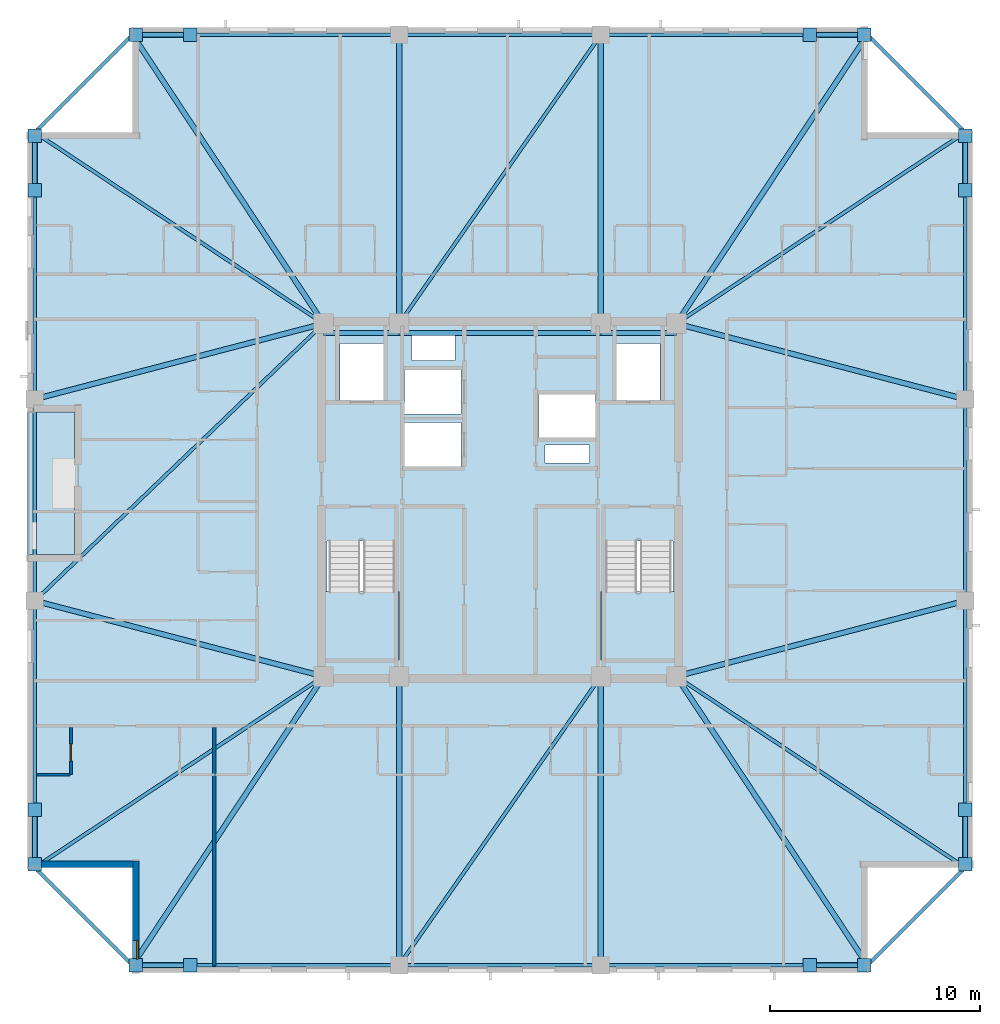
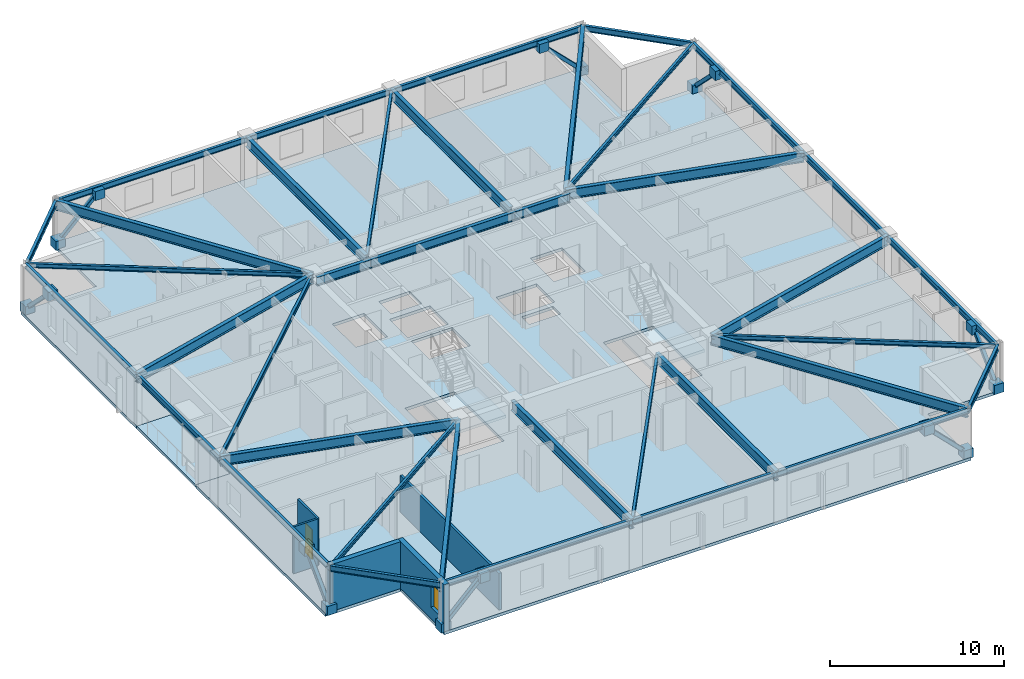
# One storey, part 6 of 17: 38 beams, 16 plates, 8 members, 5 walls, 4 slabs, 1 door, 1 window, 2 openings, 2 elements without a shape of their own.
"""IFC4 building model written with IfcOpenShell, lengths in metres."""

from ifc_helpers import new_model, si_unit, direction, frame, frame_2d, origin, origin_2d, place, context, subcontext, project, spatial, polyline, rectangle, hollow_rectangle, i_section, outline, extrude, material, layer, layer_set, material_profile, profile_set, type_object, element, fill, aggregate, save


model = new_model("IFC4")

# Units and contexts
model_context = context("Model", 3, precision=1e-05, world=origin(), true_north=direction((0.0, 1.0)))
body_context = subcontext(model_context, "Body", "Model", "MODEL_VIEW")
ifc_project = project(units=[si_unit("LENGTHUNIT", "METRE"), si_unit("AREAUNIT", "SQUARE_METRE"), si_unit("VOLUMEUNIT", "CUBIC_METRE"), si_unit("PLANEANGLEUNIT", "RADIAN"), si_unit("MASSUNIT", "GRAM", prefix="KILO")], contexts=[model_context])

# Site, building, storey
site_placement = place(None, origin())
site = spatial("IfcSite", under=ifc_project, at=site_placement, CompositionType="ELEMENT")
building_placement = place(site_placement, origin())
building = spatial("IfcBuilding", under=site, at=building_placement, Name="Cairnveth Concourse Tower", CompositionType="ELEMENT")
storey_placement = place(building_placement, frame((0.0, 0.0, 244.5)))
storey = spatial("IfcBuildingStorey", under=building, at=storey_placement, Name="L67", CompositionType="ELEMENT", Elevation=244.5)

# Beams
ifc_material_1 = material(Name="Steel Grade 350", Category="steel")
ifc_material_profile_1 = material_profile(ifc_material_1, i_section(OverallWidth=0.22802734375, OverallDepth=0.60693359375, WebThickness=0.01123046875, FlangeThickness=0.017333984375, FilletRadius=0.013916015625, at=origin_2d()), Name="610UB113")
ifc_profile_set_1 = profile_set([ifc_material_profile_1], Name="Steel Grade 350")
beam_type_1 = type_object("IfcBeamType", Name="CORE TIE BEAM 610UB113", PredefinedType="T_BEAM", material=ifc_profile_set_1)
for number, where, z_axis, x_axis, name in (
    (1, (43.60009765625, 46.949951171875, 2.986572265625), (1.0, 0.0, 0.0), (0.0, 1.0, 0.0), "Beam CT-N1 L67"),
    (2, (56.800048828125, 46.949951171875, 2.986572265625), (1.0, 0.0, 0.0), (0.0, 1.0, 0.0), "Beam CT-N3 L67"),
):
    element("IfcBeam", number, at=place(storey_placement, frame(where, z_axis=z_axis, x_axis=x_axis)), inside=storey, type_object=beam_type_1, Name=name, PredefinedType="T_BEAM", context=body_context, shape_type="SweptSolid", body=[
        extrude(i_section(OverallWidth=0.22802734375, OverallDepth=0.60693359375, WebThickness=0.01123046875, FlangeThickness=0.017333984375, FilletRadius=0.013916015625, at=origin_2d()), origin(), (0.0, 0.0, 1.0), 3.599853515625),
    ])
beam_1_placement = place(storey_placement, frame((47.199951171875, 46.949951171875, 2.986572265625), z_axis=(1.0, 0.0, 0.0), x_axis=(0.0, 1.0, 0.0)))
element("IfcBeam", 3, at=beam_1_placement, inside=storey, type_object=beam_type_1, Name="Beam CT-N2 L67", PredefinedType="T_BEAM", context=body_context, shape_type="SweptSolid", body=[
    extrude(i_section(OverallWidth=0.22802734375, OverallDepth=0.60693359375, WebThickness=0.01123046875, FlangeThickness=0.017333984375, FilletRadius=0.013916015625, at=origin_2d()), origin(), (0.0, 0.0, 1.0), 9.60009765625),
])
ifc_material_profile_2 = material_profile(ifc_material_1, i_section(OverallWidth=0.166015625, OverallDepth=0.306884765625, WebThickness=0.006591796875, FlangeThickness=0.01171875, FilletRadius=0.010986328125, at=origin_2d()), Name="310UB46.2")
ifc_profile_set_2 = profile_set([ifc_material_profile_2], Name="Steel Grade 350")
beam_type_2 = type_object("IfcBeamType", Name="ZONE 3 FLOOR JOIST 310UB46.2", PredefinedType="JOIST", material=ifc_profile_set_2)
for number, where, z_axis, x_axis, name in (
    (4, (29.85009765625, 21.5, 3.136474609375), (0.833908956207, 0.551902031848, 0.0), (-0.551902031848, 0.833908956207, 0.0), "Beam FJ-CSW2 L67"),
    (5, (74.14990234375, 21.5, 3.136474609375), (-0.833908956207, 0.551902031848, 0.0), (-0.551902031848, -0.833908956207, 0.0), "Beam FJ-CSE2 L67"),
    (6, (74.14990234375, 56.5, 3.136474609375), (-0.833908956207, -0.551902031848, 0.0), (0.551902031848, -0.833908956207, 0.0), "Beam FJ-CNE2 L67"),
    (7, (29.85009765625, 56.5, 3.136474609375), (0.833908956207, -0.551902031848, 0.0), (0.551902031848, 0.833908956207, 0.0), "Beam FJ-CNW2 L67"),
):
    element("IfcBeam", number, at=place(storey_placement, frame(where, z_axis=z_axis, x_axis=x_axis)), inside=storey, type_object=beam_type_2, Name=name, PredefinedType="JOIST", context=body_context, shape_type="SweptSolid", body=[
        extrude(i_section(OverallWidth=0.166015625, OverallDepth=0.306884765625, WebThickness=0.006591796875, FlangeThickness=0.01171875, FilletRadius=0.010986328125, at=origin_2d()), origin(), (0.0, 0.0, 1.0), 16.488525390625),
    ])
for number, where, z_axis, x_axis, name in (
    (8, (47.199951171875, 16.85009765625, 3.136474609375), (0.572465304893, 0.819928944905, 0.0), (-0.819928944905, 0.572465304893, 0.0), "Beam FJ-S-M1 L67"),
    (9, (47.199951171875, 47.39990234375, 3.136474609375), (0.572465304893, 0.819928944905, 0.0), (-0.819928944905, 0.572465304893, 0.0), "Beam FJ-N-M1 L67"),
):
    element("IfcBeam", number, at=place(storey_placement, frame(where, z_axis=z_axis, x_axis=x_axis)), inside=storey, type_object=beam_type_2, Name=name, PredefinedType="JOIST", context=body_context, shape_type="SweptSolid", body=[
        extrude(i_section(OverallWidth=0.166015625, OverallDepth=0.306884765625, WebThickness=0.006591796875, FlangeThickness=0.01171875, FilletRadius=0.010986328125, at=origin_2d()), origin(), (0.0, 0.0, 1.0), 16.769775390625),
    ])
beam_2_placement = place(storey_placement, frame((29.85009765625, 34.199951171875, 3.136474609375), z_axis=(0.721388600838, 0.692530495055, 0.0), x_axis=(-0.692530495055, 0.721388600838, 0.0)))
element("IfcBeam", 10, at=beam_2_placement, inside=storey, type_object=beam_type_2, Name="Beam FJ-W-M1 L67", PredefinedType="JOIST", context=body_context, shape_type="SweptSolid", body=[
    extrude(i_section(OverallWidth=0.166015625, OverallDepth=0.306884765625, WebThickness=0.006591796875, FlangeThickness=0.01171875, FilletRadius=0.010986328125, at=origin_2d()), origin(), (0.0, 0.0, 1.0), 19.060546875),
])

# Members
ifc_material_2 = material(Name="Steel C350L0 (350 MPa)", Category="steel")
ifc_material_profile_3 = material_profile(ifc_material_2, hollow_rectangle(XDim=0.25, YDim=0.25, WallThickness=0.012451171875, InnerFilletRadius=0.012939453125, OuterFilletRadius=0.02490234375, at=origin_2d()), Name="250x250x12.5SHS")
ifc_profile_set_3 = profile_set([ifc_material_profile_3], Name="Steel C350L0 (350 MPa)")
member_type = type_object("IfcMemberType", Name="ZONE 3 PIER BRACE 250X250X12.5SHS", PredefinedType="BRACE", material=ifc_profile_set_3)
for number, where, z_axis, x_axis, name in (
    (11, (34.64990234375, 16.85009765625, 0.25), (0.708469186186, 0.0, 0.705741746126), (0.0, 1.0, 0.0), "Structural Brace PB-S1 L67"),
    (12, (69.35009765625, 16.85009765625, 0.25), (-0.708469186186, 0.0, 0.705741746126), (0.0, -1.0, 0.0), "Structural Brace PB-S2 L67"),
    (13, (34.64990234375, 61.14990234375, 0.25), (0.708469186186, 0.0, 0.705741746126), (0.0, 1.0, 0.0), "Structural Brace PB-N1 L67"),
    (14, (69.35009765625, 61.14990234375, 0.25), (-0.708469186186, 0.0, 0.705741746126), (0.0, -1.0, 0.0), "Structural Brace PB-N2 L67"),
    (15, (29.85009765625, 21.64990234375, 0.25), (0.0, 0.708469186186, 0.705741746126), (-1.0, 0.0, 0.0), "Structural Brace PB-W1 L67"),
    (16, (29.85009765625, 56.35009765625, 0.25), (0.0, -0.708469186186, 0.705741746126), (1.0, 0.0, 0.0), "Structural Brace PB-W2 L67"),
    (17, (74.14990234375, 21.64990234375, 0.25), (0.0, 0.708469186186, 0.705741746126), (-1.0, 0.0, 0.0), "Structural Brace PB-E1 L67"),
    (18, (74.14990234375, 56.35009765625, 0.25), (0.0, -0.708469186186, 0.705741746126), (1.0, 0.0, 0.0), "Structural Brace PB-E2 L67"),
):
    element("IfcMember", number, at=place(storey_placement, frame(where, z_axis=z_axis, x_axis=x_axis)), inside=storey, type_object=member_type, Name=name, PredefinedType="BRACE", context=body_context, shape_type="SweptSolid", body=[
        extrude(hollow_rectangle(XDim=0.25, YDim=0.25, WallThickness=0.012451171875, InnerFilletRadius=0.012939453125, OuterFilletRadius=0.02490234375, at=origin_2d()), origin(), (0.0, 0.0, 1.0), 3.669921875),
    ])

# Beams
ifc_material_profile_4 = material_profile(ifc_material_1, i_section(OverallWidth=0.25, OverallDepth=0.69189453125, WebThickness=0.010009765625, FlangeThickness=0.02490234375, at=origin_2d()), Name="700WB150")
ifc_profile_set_4 = profile_set([ifc_material_profile_4], Name="Steel Grade 350")
beam_type_3 = type_object("IfcBeamType", Name="ZONE 3 RADIAL GIRDER 700WB150", PredefinedType="BEAM", material=ifc_profile_set_4)
for number, where, z_axis, x_axis, name in (
    (19, (47.199951171875, 16.85009765625, 2.944091796875), (0.0, 1.0, 0.0), (-1.0, 0.0, 0.0), "Beam RG-S1 L67"),
    (20, (56.800048828125, 16.85009765625, 2.944091796875), (0.0, 1.0, 0.0), (-1.0, 0.0, 0.0), "Beam RG-S2 L67"),
    (21, (47.199951171875, 47.39990234375, 2.944091796875), (0.0, 1.0, 0.0), (-1.0, 0.0, 0.0), "Beam RG-N1 L67"),
    (22, (56.800048828125, 47.39990234375, 2.944091796875), (0.0, 1.0, 0.0), (-1.0, 0.0, 0.0), "Beam RG-N2 L67"),
):
    element("IfcBeam", number, at=place(storey_placement, frame(where, z_axis=z_axis, x_axis=x_axis)), inside=storey, type_object=beam_type_3, Name=name, PredefinedType="BEAM", context=body_context, shape_type="SweptSolid", body=[
        extrude(i_section(OverallWidth=0.25, OverallDepth=0.69189453125, WebThickness=0.010009765625, FlangeThickness=0.02490234375, at=origin_2d()), origin(), (0.0, 0.0, 1.0), 13.75),
    ])
for number, where, z_axis, x_axis, name in (
    (23, (29.85009765625, 34.199951171875, 2.944091796875), (0.967395273598, -0.253271365575, 0.0), (0.253271365575, 0.967395273598, 0.0), "Beam RG-W1 L67"),
    (24, (29.85009765625, 43.800048828125, 2.944091796875), (0.967395273598, 0.253271365575, 0.0), (-0.253271365575, 0.967395273598, 0.0), "Beam RG-W2 L67"),
    (25, (60.39990234375, 30.60009765625, 2.944091796875), (0.967395273598, 0.253271365575, 0.0), (-0.253271365575, 0.967395273598, 0.0), "Beam RG-E1 L67"),
    (26, (60.39990234375, 47.39990234375, 2.944091796875), (0.967395273598, -0.253271365575, 0.0), (0.253271365575, 0.967395273598, 0.0), "Beam RG-E2 L67"),
):
    element("IfcBeam", number, at=place(storey_placement, frame(where, z_axis=z_axis, x_axis=x_axis)), inside=storey, type_object=beam_type_3, Name=name, PredefinedType="BEAM", context=body_context, shape_type="SweptSolid", body=[
        extrude(i_section(OverallWidth=0.25, OverallDepth=0.69189453125, WebThickness=0.010009765625, FlangeThickness=0.02490234375, at=origin_2d()), origin(), (0.0, 0.0, 1.0), 14.21337890625),
    ])
for number, where, z_axis, x_axis, name in (
    (27, (34.5, 16.85009765625, 2.944091796875), (0.551902031848, 0.833908956207, 0.0), (-0.833908956207, 0.551902031848, 0.0), "Beam RG-CSW L67"),
    (28, (69.5, 16.85009765625, 2.944091796875), (-0.551902031848, 0.833908956207, 0.0), (-0.833908956207, -0.551902031848, 0.0), "Beam RG-CSE L67"),
    (29, (69.5, 61.14990234375, 2.944091796875), (-0.551902031848, -0.833908956207, 0.0), (0.833908956207, -0.551902031848, 0.0), "Beam RG-CNE L67"),
    (30, (34.5, 61.14990234375, 2.944091796875), (0.551902031848, -0.833908956207, 0.0), (0.833908956207, 0.551902031848, 0.0), "Beam RG-CNW L67"),
):
    element("IfcBeam", number, at=place(storey_placement, frame(where, z_axis=z_axis, x_axis=x_axis)), inside=storey, type_object=beam_type_3, Name=name, PredefinedType="BEAM", context=body_context, shape_type="SweptSolid", body=[
        extrude(i_section(OverallWidth=0.25, OverallDepth=0.69189453125, WebThickness=0.010009765625, FlangeThickness=0.02490234375, at=origin_2d()), origin(), (0.0, 0.0, 1.0), 16.488525390625),
    ])
ifc_material_profile_5 = material_profile(ifc_material_1, i_section(OverallWidth=0.177978515625, OverallDepth=0.406005859375, WebThickness=0.0078125, FlangeThickness=0.0126953125, FilletRadius=0.010986328125, at=origin_2d()), Name="410UB59.7")
ifc_profile_set_5 = profile_set([ifc_material_profile_5], Name="Steel Grade 350")
beam_type_4 = type_object("IfcBeamType", Name="ZONE 3 SPANDREL BEAM 410UB59.7", PredefinedType="SPANDREL", material=ifc_profile_set_5)
beam_3_placement = place(storey_placement, frame((34.5, 16.85009765625, 3.0869140625), z_axis=(1.0, 0.0, 0.0), x_axis=(0.0, 1.0, 0.0)))
element("IfcBeam", 31, at=beam_3_placement, inside=storey, type_object=beam_type_4, Name="Beam SP-S1 L67", PredefinedType="SPANDREL", context=body_context, shape_type="SweptSolid", body=[
    extrude(i_section(OverallWidth=0.177978515625, OverallDepth=0.406005859375, WebThickness=0.0078125, FlangeThickness=0.0126953125, FilletRadius=0.010986328125, at=origin_2d()), origin(), (0.0, 0.0, 1.0), 12.699951171875),
])
beam_4_placement = place(storey_placement, frame((47.199951171875, 16.85009765625, 3.0869140625), z_axis=(1.0, 0.0, 0.0), x_axis=(0.0, 1.0, 0.0)))
element("IfcBeam", 32, at=beam_4_placement, inside=storey, type_object=beam_type_4, Name="Beam SP-S2 L67", PredefinedType="SPANDREL", context=body_context, shape_type="SweptSolid", body=[
    extrude(i_section(OverallWidth=0.177978515625, OverallDepth=0.406005859375, WebThickness=0.0078125, FlangeThickness=0.0126953125, FilletRadius=0.010986328125, at=origin_2d()), origin(), (0.0, 0.0, 1.0), 9.60009765625),
])
for number, where, z_axis, x_axis, name in (
    (33, (56.800048828125, 16.85009765625, 3.0869140625), (1.0, 0.0, 0.0), (0.0, 1.0, 0.0), "Beam SP-S3 L67"),
    (34, (34.5, 61.14990234375, 3.0869140625), (1.0, 0.0, 0.0), (0.0, 1.0, 0.0), "Beam SP-N1 L67"),
):
    element("IfcBeam", number, at=place(storey_placement, frame(where, z_axis=z_axis, x_axis=x_axis)), inside=storey, type_object=beam_type_4, Name=name, PredefinedType="SPANDREL", context=body_context, shape_type="SweptSolid", body=[
        extrude(i_section(OverallWidth=0.177978515625, OverallDepth=0.406005859375, WebThickness=0.0078125, FlangeThickness=0.0126953125, FilletRadius=0.010986328125, at=origin_2d()), origin(), (0.0, 0.0, 1.0), 12.699951171875),
    ])
beam_5_placement = place(storey_placement, frame((47.199951171875, 61.14990234375, 3.0869140625), z_axis=(1.0, 0.0, 0.0), x_axis=(0.0, 1.0, 0.0)))
element("IfcBeam", 35, at=beam_5_placement, inside=storey, type_object=beam_type_4, Name="Beam SP-N2 L67", PredefinedType="SPANDREL", context=body_context, shape_type="SweptSolid", body=[
    extrude(i_section(OverallWidth=0.177978515625, OverallDepth=0.406005859375, WebThickness=0.0078125, FlangeThickness=0.0126953125, FilletRadius=0.010986328125, at=origin_2d()), origin(), (0.0, 0.0, 1.0), 9.60009765625),
])
for number, where, z_axis, x_axis, name in (
    (36, (56.800048828125, 61.14990234375, 3.0869140625), (1.0, 0.0, 0.0), (0.0, 1.0, 0.0), "Beam SP-N3 L67"),
    (37, (29.85009765625, 21.5, 3.0869140625), (0.0, 1.0, 0.0), (-1.0, 0.0, 0.0), "Beam SP-W1 L67"),
):
    element("IfcBeam", number, at=place(storey_placement, frame(where, z_axis=z_axis, x_axis=x_axis)), inside=storey, type_object=beam_type_4, Name=name, PredefinedType="SPANDREL", context=body_context, shape_type="SweptSolid", body=[
        extrude(i_section(OverallWidth=0.177978515625, OverallDepth=0.406005859375, WebThickness=0.0078125, FlangeThickness=0.0126953125, FilletRadius=0.010986328125, at=origin_2d()), origin(), (0.0, 0.0, 1.0), 12.699951171875),
    ])
beam_6_placement = place(storey_placement, frame((29.85009765625, 34.199951171875, 3.0869140625), z_axis=(0.0, 1.0, 0.0), x_axis=(-1.0, 0.0, 0.0)))
element("IfcBeam", 38, at=beam_6_placement, inside=storey, type_object=beam_type_4, Name="Beam SP-W2 L67", PredefinedType="SPANDREL", context=body_context, shape_type="SweptSolid", body=[
    extrude(i_section(OverallWidth=0.177978515625, OverallDepth=0.406005859375, WebThickness=0.0078125, FlangeThickness=0.0126953125, FilletRadius=0.010986328125, at=origin_2d()), origin(), (0.0, 0.0, 1.0), 9.60009765625),
])
for number, where, z_axis, x_axis, name in (
    (39, (29.85009765625, 43.800048828125, 3.0869140625), (0.0, 1.0, 0.0), (-1.0, 0.0, 0.0), "Beam SP-W3 L67"),
    (40, (74.14990234375, 21.5, 3.0869140625), (0.0, 1.0, 0.0), (-1.0, 0.0, 0.0), "Beam SP-E1 L67"),
):
    element("IfcBeam", number, at=place(storey_placement, frame(where, z_axis=z_axis, x_axis=x_axis)), inside=storey, type_object=beam_type_4, Name=name, PredefinedType="SPANDREL", context=body_context, shape_type="SweptSolid", body=[
        extrude(i_section(OverallWidth=0.177978515625, OverallDepth=0.406005859375, WebThickness=0.0078125, FlangeThickness=0.0126953125, FilletRadius=0.010986328125, at=origin_2d()), origin(), (0.0, 0.0, 1.0), 12.699951171875),
    ])
beam_7_placement = place(storey_placement, frame((74.14990234375, 34.199951171875, 3.0869140625), z_axis=(0.0, 1.0, 0.0), x_axis=(-1.0, 0.0, 0.0)))
element("IfcBeam", 41, at=beam_7_placement, inside=storey, type_object=beam_type_4, Name="Beam SP-E2 L67", PredefinedType="SPANDREL", context=body_context, shape_type="SweptSolid", body=[
    extrude(i_section(OverallWidth=0.177978515625, OverallDepth=0.406005859375, WebThickness=0.0078125, FlangeThickness=0.0126953125, FilletRadius=0.010986328125, at=origin_2d()), origin(), (0.0, 0.0, 1.0), 9.60009765625),
])
beam_8_placement = place(storey_placement, frame((74.14990234375, 43.800048828125, 3.0869140625), z_axis=(0.0, 1.0, 0.0), x_axis=(-1.0, 0.0, 0.0)))
element("IfcBeam", 42, at=beam_8_placement, inside=storey, type_object=beam_type_4, Name="Beam SP-E3 L67", PredefinedType="SPANDREL", context=body_context, shape_type="SweptSolid", body=[
    extrude(i_section(OverallWidth=0.177978515625, OverallDepth=0.406005859375, WebThickness=0.0078125, FlangeThickness=0.0126953125, FilletRadius=0.010986328125, at=origin_2d()), origin(), (0.0, 0.0, 1.0), 12.699951171875),
])
for number, where, z_axis, x_axis, name in (
    (43, (29.85009765625, 21.5, 3.0869140625), (0.707106781187, -0.707106781187, 0.0), (0.707106781187, 0.707106781187, 0.0), "Beam SP-SW L67"),
    (44, (69.5, 16.85009765625, 3.0869140625), (0.707106781187, 0.707106781187, 0.0), (-0.707106781187, 0.707106781187, 0.0), "Beam SP-SE L67"),
    (45, (69.5, 61.14990234375, 3.0869140625), (0.707106781187, -0.707106781187, 0.0), (0.707106781187, 0.707106781187, 0.0), "Beam SP-NE L67"),
    (46, (29.85009765625, 56.5, 3.0869140625), (0.707106781187, 0.707106781187, 0.0), (-0.707106781187, 0.707106781187, 0.0), "Beam SP-NW L67"),
):
    element("IfcBeam", number, at=place(storey_placement, frame(where, z_axis=z_axis, x_axis=x_axis)), inside=storey, type_object=beam_type_4, Name=name, PredefinedType="SPANDREL", context=body_context, shape_type="SweptSolid", body=[
        extrude(i_section(OverallWidth=0.177978515625, OverallDepth=0.406005859375, WebThickness=0.0078125, FlangeThickness=0.0126953125, FilletRadius=0.010986328125, at=origin_2d()), origin(), (0.0, 0.0, 1.0), 6.575927734375),
    ])

# Plates
ifc_layer_1 = layer(ifc_material_1, 0.031982421875)
ifc_layer_set_1 = layer_set([ifc_layer_1], Name="Steel Grade 350")
plate_type = type_object("IfcPlateType", Name="PERIMETER BRACE GUSSET PLATE 32", PredefinedType="USERDEFINED", material=ifc_layer_set_1)
for number, where, z_axis, x_axis, name in (
    (47, (34.64990234375, 16.85009765625, -0.06982421875), (0.0, 0.0, 1.0), (1.0, 0.0, 0.0), "Structural Node Plate 1157 L67"),
    (48, (37.25, 16.85009765625, 2.52001953125), (0.0, 0.0, 1.0), (1.0, 0.0, 0.0), "Structural Node Plate 1158 L67"),
    (49, (69.35009765625, 16.85009765625, -0.06982421875), (0.0, 0.0, 1.0), (1.0, 0.0, 0.0), "Structural Node Plate 1159 L67"),
    (50, (66.75, 16.85009765625, 2.52001953125), (0.0, 0.0, 1.0), (1.0, 0.0, 0.0), "Structural Node Plate 1160 L67"),
    (51, (34.64990234375, 61.14990234375, -0.06982421875), (0.0, 0.0, 1.0), (1.0, 0.0, 0.0), "Structural Node Plate 1161 L67"),
    (52, (37.25, 61.14990234375, 2.52001953125), (0.0, 0.0, 1.0), (1.0, 0.0, 0.0), "Structural Node Plate 1162 L67"),
    (53, (69.35009765625, 61.14990234375, -0.06982421875), (0.0, 0.0, 1.0), (1.0, 0.0, 0.0), "Structural Node Plate 1163 L67"),
    (54, (66.75, 61.14990234375, 2.52001953125), (0.0, 0.0, 1.0), (1.0, 0.0, 0.0), "Structural Node Plate 1164 L67"),
    (55, (29.85009765625, 21.64990234375, -0.06982421875), (0.0, 0.0, 1.0), (1.0, 0.0, 0.0), "Structural Node Plate 1165 L67"),
    (56, (29.85009765625, 24.25, 2.52001953125), (0.0, 0.0, 1.0), (1.0, 0.0, 0.0), "Structural Node Plate 1166 L67"),
    (57, (29.85009765625, 56.35009765625, -0.06982421875), (0.0, 0.0, 1.0), (1.0, 0.0, 0.0), "Structural Node Plate 1167 L67"),
    (58, (29.85009765625, 53.75, 2.52001953125), (0.0, 0.0, 1.0), (1.0, 0.0, 0.0), "Structural Node Plate 1168 L67"),
    (59, (74.14990234375, 21.64990234375, -0.06982421875), (0.0, 0.0, 1.0), (1.0, 0.0, 0.0), "Structural Node Plate 1169 L67"),
    (60, (74.14990234375, 24.25, 2.52001953125), (0.0, 0.0, 1.0), (1.0, 0.0, 0.0), "Structural Node Plate 1170 L67"),
    (61, (74.14990234375, 56.35009765625, -0.06982421875), (0.0, 0.0, 1.0), (1.0, 0.0, 0.0), "Structural Node Plate 1171 L67"),
    (62, (74.14990234375, 53.75, 2.52001953125), (0.0, 0.0, 1.0), (1.0, 0.0, 0.0), "Structural Node Plate 1172 L67"),
):
    element("IfcPlate", number, at=place(storey_placement, frame(where, z_axis=z_axis, x_axis=x_axis)), inside=storey, type_object=plate_type, Name=name, ObjectType="GUSSET PLATE", PredefinedType="USERDEFINED", context=body_context, shape_type="SweptSolid", body=[
        extrude(rectangle(XDim=0.639892578125, YDim=0.639892578125, at=origin_2d()), origin(), (0.0, 0.0, 1.0), 0.639892578125),
    ])

# Slab
ifc_material_3 = material(Name="Concrete N50 (50 MPa)", Category="concrete")
ifc_layer_2 = layer(ifc_material_3, 0.18994140625)
ifc_layer_set_2 = layer_set([ifc_layer_2], Name="Concrete N50 (50 MPa)")
slab_type_1 = type_object("IfcSlabType", Name="SPIRAL OUTDOOR TERRACE SLAB 190", PredefinedType="FLOOR", material=ifc_layer_set_2)
slab_1_placement = place(storey_placement, frame((0.0, 0.0, -0.18994140625)))
element("IfcSlab", 63, at=slab_1_placement, inside=storey, type_object=slab_type_1, Name="Spiral Terrace Slab L67", PredefinedType="FLOOR", context=body_context, shape_type="SweptSolid", body=[
    extrude(outline(polyline([(29.5, 36.39990234375), (31.75, 36.39990234375), (31.75, 43.199951171875), (29.5, 43.199951171875), (29.5, 36.39990234375)])), origin(), (0.0, 0.0, 1.0), 0.18994140625),
])

# Stair, slab
ifc_material_4 = material(Name="Precast concrete N50 (50 MPa)", Category="concrete")
stair_type = type_object("IfcStairType", Name="CORE DOG-LEG FIRE STAIR 1500", PredefinedType="HALF_TURN_STAIR", material=ifc_material_4)
stair_1_placement = place(storey_placement, origin())
stair_1 = element("IfcStair", 64, at=stair_1_placement, inside=storey, type_object=stair_type, Name="L67 Fire-Isolated Stair ST-1", PredefinedType="HALF_TURN_STAIR")
ifc_layer_3 = layer(ifc_material_3, 0.199951171875)
ifc_layer_set_3 = layer_set([ifc_layer_3], Name="Concrete N50 (50 MPa)")
slab_type_2 = type_object("IfcSlabType", Name="STAIR HALF LANDING SLAB 200", PredefinedType="LANDING", material=ifc_layer_set_3)
slab_2_placement = place(storey_placement, frame((0.0, 0.0, 1.550048828125)))
slab_2 = element("IfcSlab", 65, at=slab_2_placement, type_object=slab_type_2, Name="ST-1 landing 1", PredefinedType="LANDING", context=body_context, shape_type="SweptSolid", body=[
    extrude(outline(polyline([(43.6201171875, 34.639892578125), (43.6201171875, 31.3701171875), (47.199951171875, 31.3701171875), (47.199951171875, 34.639892578125), (43.6201171875, 34.639892578125)])), origin(), (0.0, 0.0, 1.0), 0.199951171875),
])
aggregate(stair_1, [slab_2])

stair_2_placement = place(storey_placement, origin())
stair_2 = element("IfcStair", 66, at=stair_2_placement, inside=storey, type_object=stair_type, Name="L67 Fire-Isolated Stair ST-2", PredefinedType="HALF_TURN_STAIR")
slab_3_placement = place(storey_placement, frame((0.0, 0.0, 1.550048828125)))
slab_3 = element("IfcSlab", 67, at=slab_3_placement, type_object=slab_type_2, Name="ST-2 landing 1", PredefinedType="LANDING", context=body_context, shape_type="SweptSolid", body=[
    extrude(outline(polyline([(56.800048828125, 34.639892578125), (56.800048828125, 31.3701171875), (60.3798828125, 31.3701171875), (60.3798828125, 34.639892578125), (56.800048828125, 34.639892578125)])), origin(), (0.0, 0.0, 1.0), 0.199951171875),
])
aggregate(stair_2, [slab_3])

# Slab
ifc_layer_4 = layer(ifc_material_3, 0.2099609375)
ifc_layer_set_4 = layer_set([ifc_layer_4], Name="Concrete N50 (50 MPa)")
slab_type_3 = type_object("IfcSlabType", Name="UPPER TOWER COMPOSITE SLAB 210", PredefinedType="FLOOR", material=ifc_layer_set_4)
slab_4_placement = place(storey_placement, frame((0.0, 0.0, -0.2099609375)))
element("IfcSlab", 68, at=slab_4_placement, inside=storey, type_object=slab_type_3, Name="Tower Floor Slab L67", PredefinedType="FLOOR", context=body_context, shape_type="SweptSolid", body=[
    extrude(outline(polyline([(29.5, 43.199951171875), (31.75, 43.199951171875), (31.75, 36.39990234375), (29.5, 36.39990234375), (29.5, 21.5), (34.5, 21.5), (34.5, 16.5), (69.5, 16.5), (69.5, 21.5), (74.5, 21.5), (74.5, 56.5), (69.5, 56.5), (69.5, 61.5), (34.5, 61.5), (34.5, 56.5), (29.5, 56.5), (29.5, 43.199951171875)]), holes=[polyline([(43.760009765625, 31.360107421875), (47.06005859375, 31.360107421875), (47.06005859375, 37.0400390625), (43.760009765625, 37.0400390625), (43.760009765625, 31.360107421875)]), polyline([(56.93994140625, 31.360107421875), (60.239990234375, 31.360107421875), (60.239990234375, 37.0400390625), (56.93994140625, 37.0400390625), (56.93994140625, 31.360107421875)]), polyline([(44.3701171875, 43.75), (46.469970703125, 43.75), (46.469970703125, 46.449951171875), (44.3701171875, 46.449951171875), (44.3701171875, 43.75)]), polyline([(57.530029296875, 43.75), (59.6298828125, 43.75), (59.6298828125, 46.449951171875), (57.530029296875, 46.449951171875), (57.530029296875, 43.75)]), polyline([(47.449951171875, 40.60009765625), (50.14990234375, 40.60009765625), (50.14990234375, 42.699951171875), (47.449951171875, 42.699951171875), (47.449951171875, 40.60009765625)]), polyline([(47.449951171875, 43.10009765625), (50.14990234375, 43.10009765625), (50.14990234375, 45.199951171875), (47.449951171875, 45.199951171875), (47.449951171875, 43.10009765625)]), polyline([(53.85009765625, 41.949951171875), (56.550048828125, 41.949951171875), (56.550048828125, 44.050048828125), (53.85009765625, 44.050048828125), (53.85009765625, 41.949951171875)]), polyline([(47.800048828125, 45.64990234375), (49.85009765625, 45.64990234375), (49.85009765625, 47.050048828125), (47.800048828125, 47.050048828125), (47.800048828125, 45.64990234375)]), polyline([(54.14990234375, 40.75), (56.25, 40.75), (56.25, 41.6201171875), (54.14990234375, 41.6201171875), (54.14990234375, 40.75)])]), origin(), (0.0, 0.0, 1.0), 0.2099609375),
])

# Wall
ifc_material_5 = material(Name="Gypsum Plasterboard Partition", Category="gypsum")
ifc_layer_5 = layer(ifc_material_5, 0.159912109375)
ifc_layer_set_5 = layer_set([ifc_layer_5], Name="Gypsum Plasterboard Partition")
wall_type_1 = type_object("IfcWallType", Name="ACOUSTIC PARTY WALL 180", PredefinedType="PARTITIONING", material=ifc_layer_set_5)
wall_1_placement = place(storey_placement, frame((38.39453125, 16.804931640625, 0.0), z_axis=(0.0, 0.0, 1.0), x_axis=(0.0, 1.0, 0.0)))
element("IfcWall", 69, at=wall_1_placement, inside=storey, type_object=wall_type_1, Name="Interior Wall IW-L67-046", PredefinedType="PARTITIONING", context=body_context, shape_type="SweptSolid", body=[
    extrude(rectangle(XDim=11.36767578125, YDim=0.159912109375, at=frame_2d((5.683837890625, 0.0))), origin(), (0.0, 0.0, 1.0), 2.572998046875),
])

# Wall, opening, door
ifc_layer_6 = layer(ifc_material_5, 0.1298828125)
ifc_layer_set_6 = layer_set([ifc_layer_6], Name="Gypsum Plasterboard Partition")
wall_type_2 = type_object("IfcWallType", Name="WET AREA PARTITION 140", PredefinedType="PLUMBINGWALL", material=ifc_layer_set_6)
wall_2_placement = place(storey_placement, frame((31.570068359375, 25.922607421875, 0.0), z_axis=(0.0, 0.0, 1.0), x_axis=(0.0, 1.0, 0.0)))
wall_2 = element("IfcWall", 70, at=wall_2_placement, inside=storey, type_object=wall_type_2, Name="Interior Wall IW-L67-042", PredefinedType="PLUMBINGWALL", context=body_context, shape_type="SweptSolid", body=[
    extrude(rectangle(XDim=2.25, YDim=0.1298828125, at=frame_2d((1.125, 0.0))), origin(), (0.0, 0.0, 1.0), 3.2900390625),
])
opening_1_placement = place(wall_2_placement, frame((0.64990234375, 0.0, 0.0)))
opening_1 = element("IfcOpeningElement", 71, at=opening_1_placement, cuts=wall_2, Name="Opening ID22", PredefinedType="OPENING", context=body_context, shape_type="SweptSolid", body=[
    extrude(rectangle(XDim=0.820068359375, YDim=2.10009765625, at=frame_2d((0.41015625, 1.050048828125))), frame((0.0, 0.074951171875, 0.0), z_axis=(0.0, -1.0, 0.0), x_axis=(1.0, 0.0, 0.0)), (0.0, 0.0, 1.0), 0.14990234375),
])
ifc_material_6 = material(Name="Solid Core Hardwood Timber Leaf", Category="wood")
door_type = type_object("IfcDoorType", Name="INTERIOR WC DOOR 820X2100", OperationType="NOTDEFINED", PredefinedType="DOOR", material=ifc_material_6)
door_placement = place(opening_1_placement, origin())
door = element("IfcDoor", 72, at=door_placement, inside=storey, type_object=door_type, Name="L67STS1 Bathroom Door", OperationType="SINGLE_SWING_LEFT", OverallHeight=2.10009765625, OverallWidth=0.820068359375, PredefinedType="DOOR", context=body_context, shape_type="SweptSolid", body=[
    extrude(rectangle(XDim=0.820068359375, YDim=2.10009765625, at=frame_2d((0.41015625, 1.050048828125))), frame((0.0, 0.02490234375, 0.0), z_axis=(0.0, -1.0, 0.0), x_axis=(1.0, 0.0, 0.0)), (0.0, 0.0, 1.0), 0.050048828125),
])
fill(opening_1, door)

# Wall
wall_3_placement = place(storey_placement, frame((29.919921875, 25.922607421875, 0.0), z_axis=(0.0, 0.0, 1.0), x_axis=(1.0, 0.0, 0.0)))
element("IfcWall", 73, at=wall_3_placement, inside=storey, type_object=wall_type_2, Name="Interior Wall IW-L67-043", PredefinedType="PLUMBINGWALL", context=body_context, shape_type="SweptSolid", body=[
    extrude(rectangle(XDim=1.60009765625, YDim=0.1298828125, at=frame_2d((0.800048828125, 0.0))), origin(), (0.0, 0.0, 1.0), 3.2900390625),
])

# Wall, opening, window
ifc_material_7 = material(Name="Melbourne Buff Fired Clay Brick Masonry", Category="masonry")
ifc_layer_7 = layer(ifc_material_7, 0.320068359375)
ifc_layer_set_7 = layer_set([ifc_layer_7], Name="Melbourne Buff Fired Clay Brick Masonry")
wall_type_3 = type_object("IfcWallType", Name="ZONE 3 BRICK PIER SPANDREL WALL 320", PredefinedType="SOLIDWALL", material=ifc_layer_set_7)
wall_4_placement = place(storey_placement, frame((34.659912109375, 16.5, 0.0), z_axis=(0.0, 0.0, 1.0), x_axis=(0.0, 1.0, 0.0)))
wall_4 = element("IfcWall", 74, at=wall_4_placement, inside=storey, type_object=wall_type_3, Name="Exterior Wall EW-L67-S10", PredefinedType="SOLIDWALL", context=body_context, shape_type="SweptSolid", body=[
    extrude(rectangle(XDim=5.320068359375, YDim=0.320068359375, at=frame_2d((2.66015625, 0.0))), origin(), (0.0, 0.0, 1.0), 3.2900390625),
])
opening_2_placement = place(wall_4_placement, frame((0.6298828125, 0.0, 0.800048828125)))
opening_2 = element("IfcOpeningElement", 75, at=opening_2_placement, cuts=wall_4, Name="Opening W13", PredefinedType="OPENING", context=body_context, shape_type="SweptSolid", body=[
    extrude(rectangle(XDim=0.89990234375, YDim=1.677978515625, at=frame_2d((0.449951171875, 0.8388671875))), frame((0.0, 0.169921875, 0.0), z_axis=(0.0, -1.0, 0.0), x_axis=(1.0, 0.0, 0.0)), (0.0, 0.0, 1.0), 0.340087890625),
])
ifc_material_8 = material(Name="Double Glazed Low-E Clear Glass", Category="glass")
window_type = type_object("IfcWindowType", Name="DEEP-SET BEDROOM LANCET WINDOW 900X1750", PartitioningType="DOUBLE_PANEL_VERTICAL", PredefinedType="WINDOW", material=ifc_material_8)
window_placement = place(opening_2_placement, origin())
window = element("IfcWindow", 76, at=window_placement, inside=storey, type_object=window_type, Name="Dwelling Lancet Window L67-DW1", OverallHeight=1.677978515625, OverallWidth=0.89990234375, PartitioningType="SINGLE_PANEL", PredefinedType="WINDOW", context=body_context, shape_type="SweptSolid", body=[
    extrude(rectangle(XDim=0.89990234375, YDim=1.677978515625, at=frame_2d((0.449951171875, 0.8388671875))), frame((0.0, -0.0400390625, 0.0), z_axis=(0.0, -1.0, 0.0), x_axis=(1.0, 0.0, 0.0)), (0.0, 0.0, 1.0), 0.06005859375),
])
fill(opening_2, window)

# Wall
wall_5_placement = place(storey_placement, frame((34.52197265625, 21.659912109375, 0.0), z_axis=(0.0, 0.0, 1.0), x_axis=(-1.0, 0.0, 0.0)))
element("IfcWall", 77, at=wall_5_placement, inside=storey, type_object=wall_type_3, Name="Exterior Wall EW-L67-S11", PredefinedType="SOLIDWALL", context=body_context, shape_type="SweptSolid", body=[
    extrude(rectangle(XDim=4.723876953125, YDim=0.320068359375, at=frame_2d((2.36181640625, 0.0))), origin(), (0.0, 0.0, 1.0), 3.2900390625),
])

save(model, "model.ifc")
